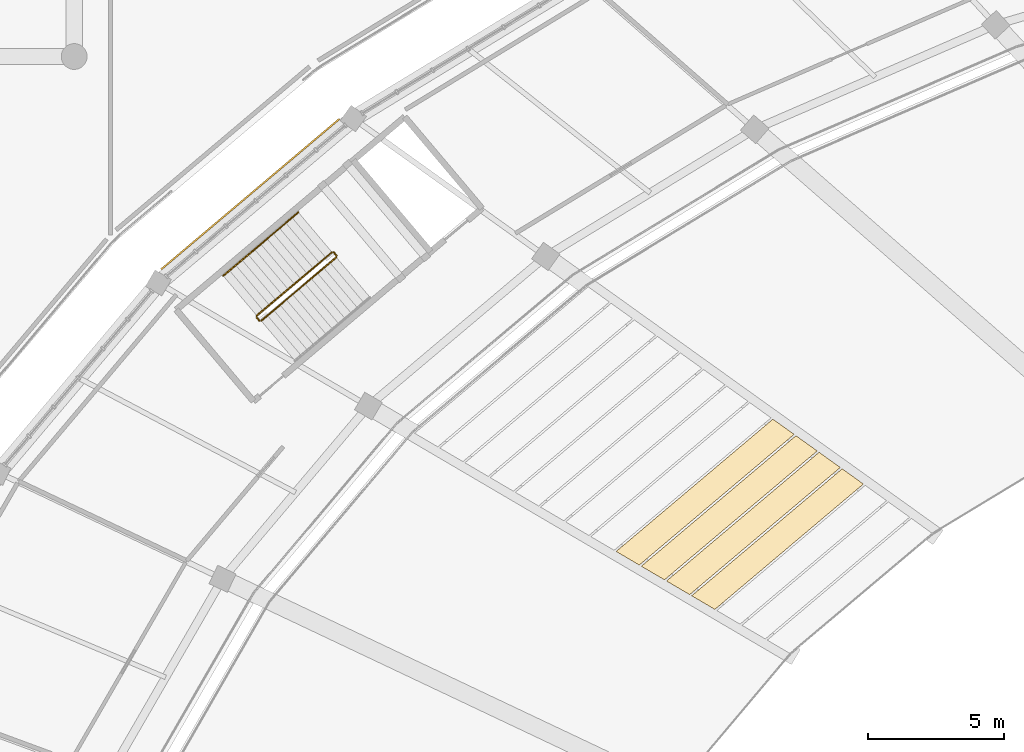
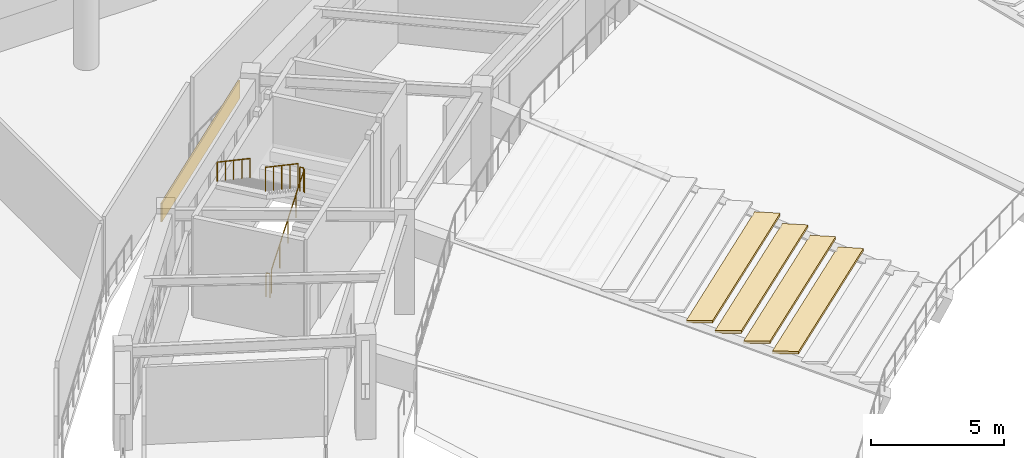
# One storey, part 131 of 137: 5 coverings, 5 railings.
"""IFC4 building model written with IfcOpenShell, lengths in metres."""

from ifc_helpers import new_model, si_unit, direction, frame, origin, origin_2d, place, context, subcontext, project, spatial, polyline, rectangle, circle, outline, extrude, material, layer, layer_set, type_object, element, save


model = new_model("IFC4")

# Units and contexts
model_context = context("Model", 3, precision=1e-05, world=origin(), true_north=direction((0.0, 1.0)))
body_context = subcontext(model_context, "Body", "Model", "MODEL_VIEW")
ifc_project = project(units=[si_unit("LENGTHUNIT", "METRE"), si_unit("AREAUNIT", "SQUARE_METRE"), si_unit("VOLUMEUNIT", "CUBIC_METRE"), si_unit("PLANEANGLEUNIT", "RADIAN"), si_unit("MASSUNIT", "GRAM", prefix="KILO")], contexts=[model_context])

# Site, building, storey
site_placement = place(None, origin())
site = spatial("IfcSite", under=ifc_project, at=site_placement, CompositionType="ELEMENT")
building_placement = place(site_placement, origin())
building = spatial("IfcBuilding", under=site, at=building_placement, Name="Mphavela Belvedere Stadium", CompositionType="ELEMENT")
storey_placement = place(building_placement, frame((0.0, 0.0, 19.199951171875)))
storey = spatial("IfcBuildingStorey", under=building, at=storey_placement, Name="L04", CompositionType="ELEMENT", Elevation=19.199951171875)

# Coverings
ifc_material_1 = material(Name="Carved classical limestone entablature frieze cladding", Category="masonry")
ifc_layer_1 = layer(ifc_material_1, 0.06005859375)
ifc_layer_set_1 = layer_set([ifc_layer_1], Name="Carved classical limestone entablature frieze cladding")
covering_type_1 = type_object("IfcCoveringType", Name="COV-FRIEZE-CLAD", PredefinedType="CLADDING", material=ifc_layer_set_1)
covering_1_placement = place(storey_placement, frame((32.046630859375, 140.9287109375, 3.594970703125), z_axis=(0.0, 0.0, 1.0), x_axis=(-0.764246456939, -0.644924300253, 0.0)))
element("IfcCovering", 1, at=covering_1_placement, inside=storey, type_object=covering_type_1, Name="Classical entablature frieze cladding L04-19", PredefinedType="CLADDING", context=body_context, shape_type="SweptSolid", body=[
    extrude(rectangle(XDim=8.602294921875, YDim=0.06005859375, at=origin_2d()), origin(), (0.0, 0.0, 1.0), 0.85009765625),
])
ifc_material_2 = material(Name="Precast seating row terrazzo finish", Category="concrete")
ifc_layer_2 = layer(ifc_material_2, 0.1201171875)
ifc_layer_set_2 = layer_set([ifc_layer_2], Name="Precast seating row terrazzo finish")
covering_type_2 = type_object("IfcCoveringType", Name="COV-SEAT-ROW-U", PredefinedType="FLOORING", material=ifc_layer_set_2)
covering_2_placement = place(storey_placement, frame((0.0, 0.0, -2.003173828125)))
element("IfcCovering", 2, at=covering_2_placement, inside=storey, type_object=covering_type_2, Name="Upper stand seating row bench B19-R04", PredefinedType="FLOORING", context=body_context, shape_type="SweptSolid", body=[
    extrude(outline(polyline([(54.647705078125, 130.2421875), (49.171142578125, 125.620849609375), (48.31689453125, 126.1220703125), (53.864501953125, 130.80322265625), (54.647705078125, 130.2421875)])), origin(), (0.0, 0.0, 1.0), 0.119873046875),
])
covering_3_placement = place(storey_placement, frame((0.0, 0.0, -1.53662109375)))
element("IfcCovering", 3, at=covering_3_placement, inside=storey, type_object=covering_type_2, Name="Upper stand seating row bench B19-R05", PredefinedType="FLOORING", context=body_context, shape_type="SweptSolid", body=[
    extrude(outline(polyline([(53.79638671875, 130.85205078125), (48.24267578125, 126.165771484375), (47.38818359375, 126.666748046875), (53.01318359375, 131.413330078125), (53.79638671875, 130.85205078125)])), origin(), (0.0, 0.0, 1.0), 0.119873046875),
])
covering_4_placement = place(storey_placement, frame((0.0, 0.0, -1.070068359375)))
element("IfcCovering", 4, at=covering_4_placement, inside=storey, type_object=covering_type_2, Name="Upper stand seating row bench B19-R06", PredefinedType="FLOORING", context=body_context, shape_type="SweptSolid", body=[
    extrude(outline(polyline([(52.945068359375, 131.462158203125), (47.31396484375, 126.71044921875), (46.459716796875, 127.211669921875), (52.161865234375, 132.023193359375), (52.945068359375, 131.462158203125)])), origin(), (0.0, 0.0, 1.0), 0.1201171875),
])
covering_5_placement = place(storey_placement, frame((0.0, 0.0, -0.603271484375)))
element("IfcCovering", 5, at=covering_5_placement, inside=storey, type_object=covering_type_2, Name="Upper stand seating row bench B19-R07", PredefinedType="FLOORING", context=body_context, shape_type="SweptSolid", body=[
    extrude(outline(polyline([(52.09375, 132.072021484375), (46.385498046875, 127.255126953125), (45.53125, 127.75634765625), (51.310546875, 132.63330078125), (52.09375, 132.072021484375)])), origin(), (0.0, 0.0, 1.0), 0.1201171875),
])

# Railings
ifc_material_3 = material(Name="Painted galvanised steel stair guardrail", Category="steel")
railing_type_1 = type_object("IfcRailingType", Name="RAL-GUARD-1120", PredefinedType="GUARDRAIL", material=ifc_material_3)
railing_1_placement = place(storey_placement, frame((32.448974609375, 136.259033203125, 0.1845703125)))
element("IfcRailing", 6, at=railing_1_placement, inside=storey, type_object=railing_type_1, Name="L04 ST-C05 stair guard 1", PredefinedType="GUARDRAIL", context=body_context, shape_type="SweptSolid", body=[
    extrude(circle(Radius=0.02392578125, at=origin_2d()), frame((0.0, 0.0, 1.09619140625), z_axis=(0.652035554067, 0.550241216421, 0.521616947563), x_axis=(-0.644929967424, 0.764241674549, 0.0)), (0.0, 0.0, 1.0), 4.24755859375),
    extrude(circle(Radius=0.02099609375, at=origin_2d()), origin(), (0.0, 0.0, 1.0), 1.072021484375),
    extrude(circle(Radius=0.02099609375, at=origin_2d()), frame((0.6923828125, 0.584228515625, 0.553955078125)), (0.0, 0.0, 1.0), 1.072021484375),
    extrude(circle(Radius=0.02099609375, at=origin_2d()), frame((1.384765625, 1.16845703125, 1.10791015625)), (0.0, 0.0, 1.0), 1.072021484375),
    extrude(circle(Radius=0.02099609375, at=origin_2d()), frame((2.0771484375, 1.7529296875, 1.66162109375)), (0.0, 0.0, 1.0), 1.072021484375),
    extrude(circle(Radius=0.02099609375, at=origin_2d()), frame((2.76953125, 2.337158203125, 2.215576171875)), (0.0, 0.0, 1.0), 1.072021484375),
])
railing_2_placement = place(storey_placement, frame((35.224609375, 138.66650390625, 2.400146484375)))
element("IfcRailing", 7, at=railing_2_placement, inside=storey, type_object=railing_type_1, Name="L04 ST-C05 stair guard 2", PredefinedType="GUARDRAIL", context=body_context, shape_type="SweptSolid", body=[
    extrude(circle(Radius=0.02392578125, at=origin_2d()), frame((0.0, 0.0, 1.09619140625), z_axis=(-0.644336145831, 0.764742395304, 0.0), x_axis=(-0.764742395304, -0.644336145831, 0.0)), (0.0, 0.0, 1.0), 0.150146484375),
    extrude(circle(Radius=0.02099609375, at=origin_2d()), origin(), (0.0, 0.0, 1.0), 1.072021484375),
    extrude(circle(Radius=0.02099609375, at=origin_2d()), frame((-0.0966796875, 0.11474609375, 0.0)), (0.0, 0.0, 1.0), 1.072021484375),
])
railing_3_placement = place(storey_placement, frame((35.057373046875, 138.787109375, 2.584716796875)))
element("IfcRailing", 8, at=railing_3_placement, inside=storey, type_object=railing_type_1, Name="L04 ST-C05 stair guard 3", PredefinedType="GUARDRAIL", context=body_context, shape_type="SweptSolid", body=[
    extrude(circle(Radius=0.02392578125, at=origin_2d()), frame((0.0, 0.0, 1.09619140625), z_axis=(-0.652055103025, -0.55025771344, 0.521575106211), x_axis=(0.644929967424, -0.764241674549, 0.0)), (0.0, 0.0, 1.0), 4.247314453125),
    extrude(circle(Radius=0.02099609375, at=origin_2d()), origin(), (0.0, 0.0, 1.0), 1.072021484375),
    extrude(circle(Radius=0.02099609375, at=origin_2d()), frame((-0.6923828125, -0.584228515625, 0.5537109375)), (0.0, 0.0, 1.0), 1.072021484375),
    extrude(circle(Radius=0.02099609375, at=origin_2d()), frame((-1.384765625, -1.16845703125, 1.107666015625)), (0.0, 0.0, 1.0), 1.072021484375),
    extrude(circle(Radius=0.02099609375, at=origin_2d()), frame((-2.0771484375, -1.7529296875, 1.66162109375)), (0.0, 0.0, 1.0), 1.072021484375),
    extrude(circle(Radius=0.02099609375, at=origin_2d()), frame((-2.76953125, -2.337158203125, 2.21533203125)), (0.0, 0.0, 1.0), 1.072021484375),
])
railing_4_placement = place(storey_placement, frame((32.37841796875, 136.264892578125, 0.0)))
element("IfcRailing", 9, at=railing_4_placement, inside=storey, type_object=railing_type_1, Name="L04 ST-C05 stair guard 4", PredefinedType="GUARDRAIL", context=body_context, shape_type="SweptSolid", body=[
    extrude(circle(Radius=0.02392578125, at=origin_2d()), frame((0.0, 0.0, 1.09619140625), z_axis=(-0.645138550365, 0.764065606367, 0.0), x_axis=(-0.764065606367, -0.645138550365, 0.0)), (0.0, 0.0, 1.0), 0.14990234375),
    extrude(circle(Radius=0.02099609375, at=origin_2d()), origin(), (0.0, 0.0, 1.0), 1.072021484375),
    extrude(circle(Radius=0.02099609375, at=origin_2d()), frame((-0.0966796875, 0.114501953125, 0.0)), (0.0, 0.0, 1.0), 1.072021484375),
])
ifc_material_4 = material(Name="Brushed stainless steel tubular handrail", Category="steel")
railing_type_2 = type_object("IfcRailingType", Name="RAL-HANDRAIL-900", PredefinedType="HANDRAIL", material=ifc_material_4)
railing_5_placement = place(storey_placement, frame((33.819091796875, 140.254638671875, 2.584716796875)))
element("IfcRailing", 10, at=railing_5_placement, inside=storey, type_object=railing_type_2, Name="L04 ST-C05 stair handrail 2", PredefinedType="HANDRAIL", context=body_context, shape_type="SweptSolid", body=[
    extrude(circle(Radius=0.02392578125, at=origin_2d()), frame((0.0, 0.0, 0.8759765625), z_axis=(-0.652034479135, -0.550297787662, 0.52155860928), x_axis=(0.644969313156, -0.764208469651, 0.0)), (0.0, 0.0, 1.0), 4.24755859375),
    extrude(circle(Radius=0.02099609375, at=origin_2d()), origin(), (0.0, 0.0, 1.0), 0.851806640625),
    extrude(circle(Radius=0.02099609375, at=origin_2d()), frame((-0.6923828125, -0.58447265625, 0.5537109375)), (0.0, 0.0, 1.0), 0.851806640625),
    extrude(circle(Radius=0.02099609375, at=origin_2d()), frame((-1.384765625, -1.168701171875, 1.107666015625)), (0.0, 0.0, 1.0), 0.851806640625),
    extrude(circle(Radius=0.02099609375, at=origin_2d()), frame((-2.0771484375, -1.7529296875, 1.66162109375)), (0.0, 0.0, 1.0), 0.851806640625),
    extrude(circle(Radius=0.02099609375, at=origin_2d()), frame((-2.76953125, -2.33740234375, 2.21533203125)), (0.0, 0.0, 1.0), 0.851806640625),
])

save(model, "model.ifc")
